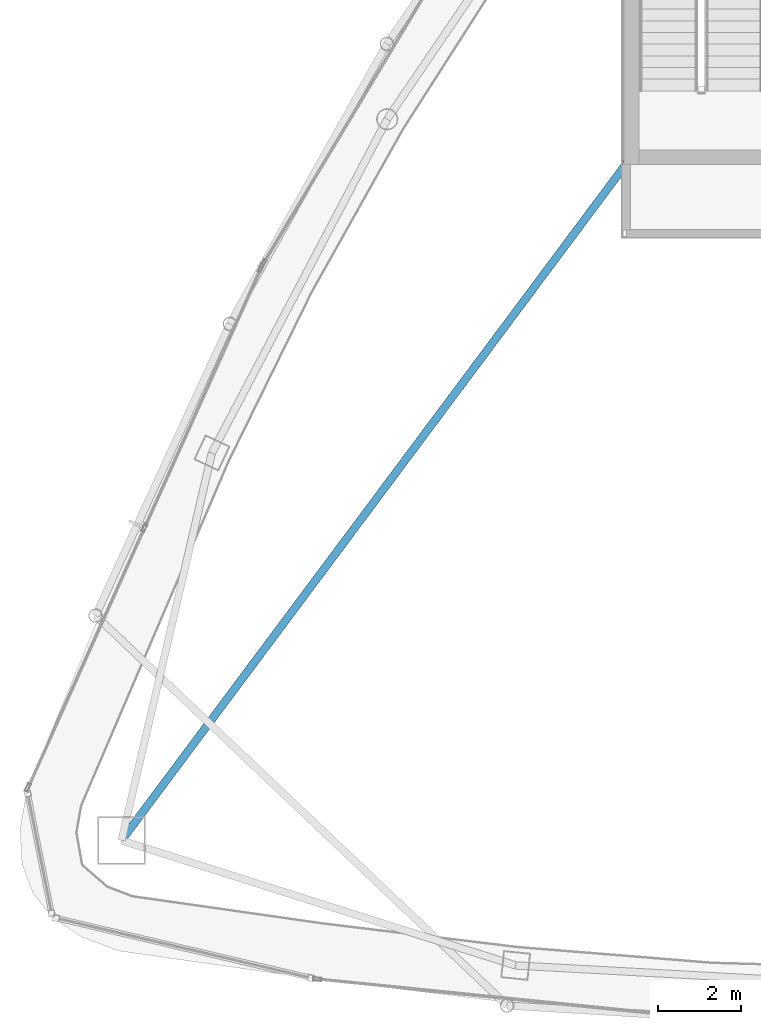
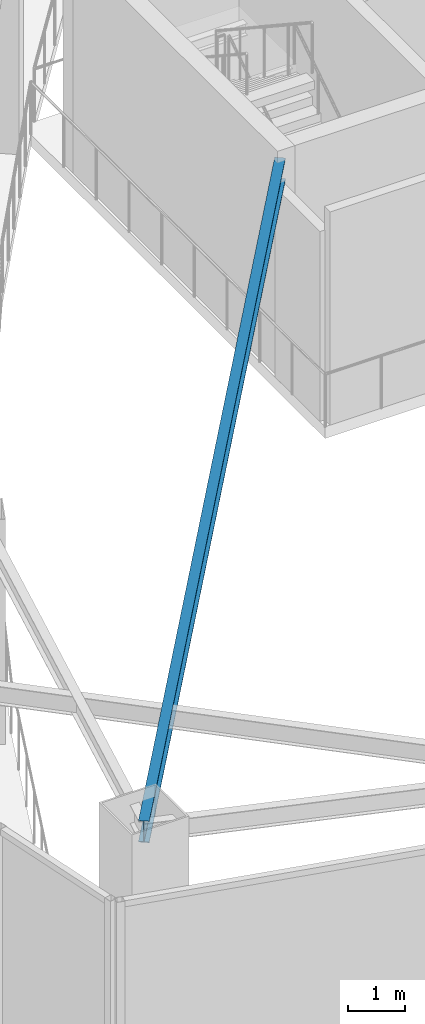
# One storey, part 5 of 19: 1 beam.
"""IFC4 building model written with IfcOpenShell, lengths in metres."""

from ifc_helpers import new_model, si_unit, direction, frame, origin, origin_2d, place, context, subcontext, project, spatial, i_section, extrude, material, material_profile, profile_set, type_object, element, save


model = new_model("IFC4")

# Units and contexts
model_context = context("Model", 3, precision=1e-05, world=origin(), true_north=direction((0.0, 1.0)))
body_context = subcontext(model_context, "Body", "Model", "MODEL_VIEW")
ifc_project = project(units=[si_unit("LENGTHUNIT", "METRE"), si_unit("AREAUNIT", "SQUARE_METRE"), si_unit("VOLUMEUNIT", "CUBIC_METRE"), si_unit("PLANEANGLEUNIT", "RADIAN"), si_unit("MASSUNIT", "GRAM", prefix="KILO")], contexts=[model_context])

# Site, building, storey
site_placement = place(None, origin())
site = spatial("IfcSite", under=ifc_project, at=site_placement, CompositionType="ELEMENT")
building_placement = place(site_placement, origin())
building = spatial("IfcBuilding", under=site, at=building_placement, Name="Orvanel Arch Residences", CompositionType="ELEMENT")
storey_placement = place(building_placement, frame((0.0, 0.0, 286.10009765625)))
storey = spatial("IfcBuildingStorey", under=building, at=storey_placement, Name="L81", CompositionType="ELEMENT", Elevation=286.10009765625)

# Beam
ifc_material = material(Name="Structural steel AS/NZS 3679.1 Grade 300 (300 MPa)", Category="steel")
ifc_material_profile = material_profile(ifc_material, i_section(OverallWidth=0.19091796875, OverallDepth=0.4599609375, WebThickness=0.010009765625, FlangeThickness=0.01611328125, at=origin_2d()), Name="460UB82.1")
ifc_profile_set = profile_set([ifc_material_profile], Name="Structural steel AS/NZS 3679.1 Grade 300 (300 MPa)")
beam_type = type_object("IfcBeamType", Name="BG-460UB", PredefinedType="BEAM", material=ifc_profile_set)
beam_placement = place(storey_placement, frame((26.375, 26.675048828125, 4.31982421875), z_axis=(-0.597893733742, -0.801575375839, 0.0), x_axis=(0.801575375839, -0.597893733742, 0.0)))
element("IfcBeam", 1, at=beam_placement, inside=storey, type_object=beam_type, Name="L81 South-West Radial Girder", PredefinedType="BEAM", context=body_context, shape_type="SweptSolid", body=[
    extrude(i_section(OverallWidth=0.19091796875, OverallDepth=0.4599609375, WebThickness=0.010009765625, FlangeThickness=0.01611328125, at=origin_2d()), origin(), (0.0, 0.0, 1.0), 20.36474609375),
])

save(model, "model.ifc")
